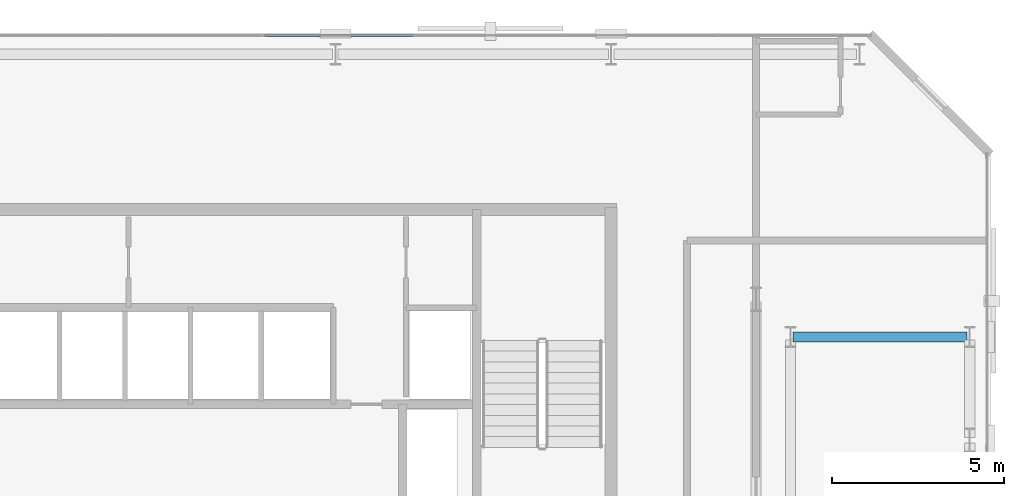
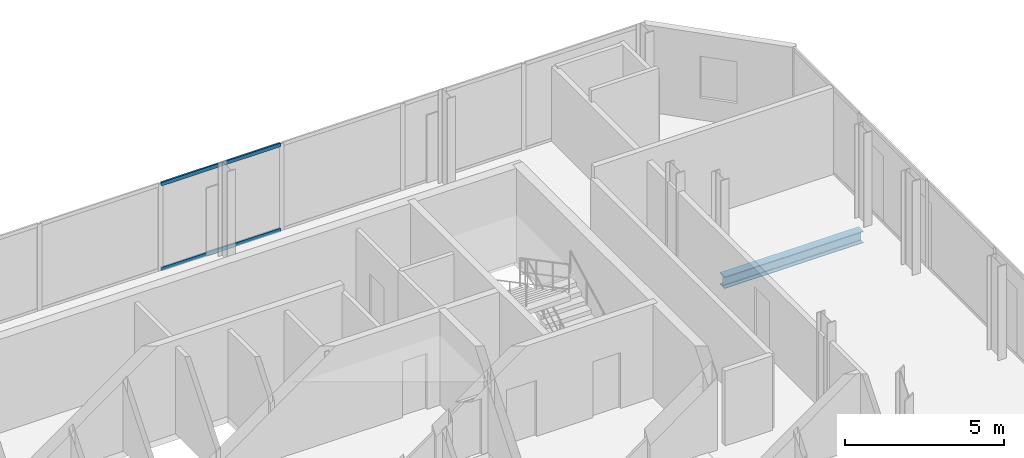
# One storey, part 23 of 33: 2 members, 1 beam, 1 element without a shape of its own.
"""IFC4 building model written with IfcOpenShell, lengths in metres."""

from ifc_helpers import new_model, si_unit, direction, frame, origin, origin_2d, place, context, subcontext, project, spatial, hollow_rectangle, i_section, extrude, material, layer, layer_set, material_profile, profile_set, type_object, element, aggregate, save


model = new_model("IFC4")

# Units and contexts
model_context = context("Model", 3, precision=1e-05, world=origin(), true_north=direction((0.0, 1.0)))
body_context = subcontext(model_context, "Body", "Model", "MODEL_VIEW")
ifc_project = project(units=[si_unit("LENGTHUNIT", "METRE"), si_unit("AREAUNIT", "SQUARE_METRE"), si_unit("VOLUMEUNIT", "CUBIC_METRE"), si_unit("PLANEANGLEUNIT", "RADIAN"), si_unit("MASSUNIT", "GRAM", prefix="KILO")], contexts=[model_context])

# Site, building, storey
site_placement = place(None, origin())
site = spatial("IfcSite", under=ifc_project, at=site_placement, CompositionType="ELEMENT")
building_placement = place(site_placement, origin())
building = spatial("IfcBuilding", under=site, at=building_placement, Name="Catumbela Crestline Tower", CompositionType="ELEMENT")
storey_placement = place(building_placement, frame((0.0, 0.0, 118.8)))
storey = spatial("IfcBuildingStorey", under=building, at=storey_placement, Name="L30", CompositionType="ELEMENT", Elevation=118.8)

# Beam
ifc_material_1 = material(Name="Structural steel S355J2", Category="steel")
ifc_material_profile_1 = material_profile(ifc_material_1, i_section(OverallWidth=0.3, OverallDepth=0.45, WebThickness=0.014, FlangeThickness=0.026, FilletRadius=0.027, at=origin_2d()), Name="HEB 450")
ifc_profile_set_1 = profile_set([ifc_material_profile_1], Name="Structural steel S355J2")
beam_type = type_object("IfcBeamType", Name="BG-HEB450", PredefinedType="BEAM", material=ifc_profile_set_1)
beam_placement = place(storey_placement, frame((45.28, 39.2, -0.485), z_axis=(1.0, 0.0, 0.0), x_axis=(0.0, 1.0, 0.0)))
element("IfcBeam", 1, at=beam_placement, inside=storey, type_object=beam_type, Name="L30 Beam BM-L30-N16", PredefinedType="BEAM", context=body_context, shape_type="SweptSolid", body=[
    extrude(i_section(OverallWidth=0.3, OverallDepth=0.45, WebThickness=0.014, FlangeThickness=0.026, FilletRadius=0.027, at=origin_2d()), origin(), (0.0, 0.0, 1.0), 5.04),
])

# Curtain wall, members
ifc_material_2 = material(Name="Aluminium alloy AW-6060-T66", Category="aluminium")
ifc_layer = layer(ifc_material_2, 0.18, Name="Aluminium alloy AW-6060-T66")
ifc_layer_set = layer_set([ifc_layer], Name="Aluminium alloy AW-6060-T66")
curtain_wall_type = type_object("IfcCurtainWallType", Name="CWU-Z2", PredefinedType="USERDEFINED", material=ifc_layer_set)
curtain_wall_placement = place(storey_placement, origin())
curtain_wall = element("IfcCurtainWall", 2, at=curtain_wall_placement, inside=storey, type_object=curtain_wall_type, Name="L30 Unitised Curtain Wall CW-L30-E7S1", ObjectType="UNITISED", PredefinedType="USERDEFINED")
ifc_material_profile_2 = material_profile(ifc_material_2, hollow_rectangle(XDim=0.06, YDim=0.14, WallThickness=0.004, at=origin_2d()), Name="ALU 140x60x4")
ifc_profile_set_2 = profile_set([ifc_material_profile_2], Name="Aluminium alloy AW-6060-T66")
member_type = type_object("IfcMemberType", Name="TRN-140X60", PredefinedType="USERDEFINED", material=ifc_profile_set_2)
member_1_placement = place(storey_placement, frame((34.2675, 47.95, 0.03), z_axis=(-1.0, 0.0, 0.0), x_axis=(0.0, -1.0, 0.0)))
member_1 = element("IfcMember", 3, at=member_1_placement, type_object=member_type, Name="CWU-Z2 transom 4.1", ObjectType="TRANSOM", PredefinedType="USERDEFINED", context=body_context, shape_type="SweptSolid", body=[
    extrude(hollow_rectangle(XDim=0.06, YDim=0.14, WallThickness=0.004, at=origin_2d()), origin(), (0.0, 0.0, 1.0), 4.335),
])
member_2_placement = place(storey_placement, frame((34.2675, 47.95, 3.3), z_axis=(-1.0, 0.0, 0.0), x_axis=(0.0, -1.0, 0.0)))
member_2 = element("IfcMember", 4, at=member_2_placement, type_object=member_type, Name="CWU-Z2 transom 4.2", ObjectType="TRANSOM", PredefinedType="USERDEFINED", context=body_context, shape_type="SweptSolid", body=[
    extrude(hollow_rectangle(XDim=0.06, YDim=0.14, WallThickness=0.004, at=origin_2d()), origin(), (0.0, 0.0, 1.0), 4.335),
])
aggregate(curtain_wall, [member_1, member_2])

save(model, "model.ifc")
